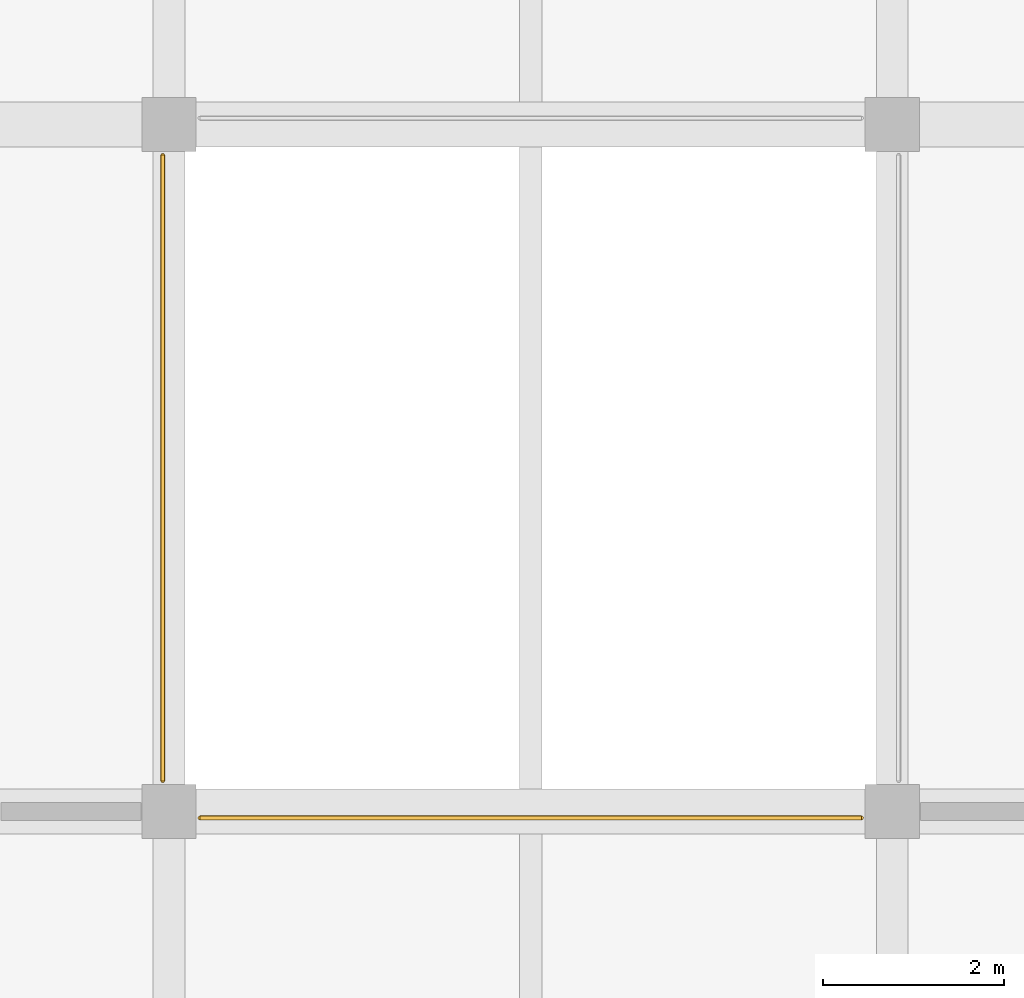
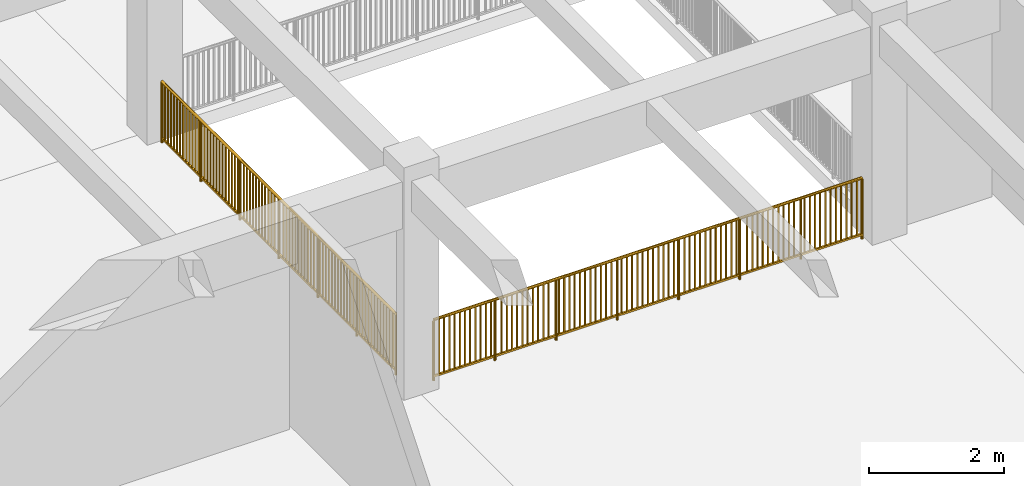
# One storey, part 54 of 63: 2 railings.
"""IFC4 building model written with IfcOpenShell, lengths in metres."""

from ifc_helpers import new_model, si_unit, direction, frame, origin, origin_2d, place, context, subcontext, project, spatial, rectangle, circle, extrude, material, type_object, element, save


model = new_model("IFC4")

# Units and contexts
model_context = context("Model", 3, precision=1e-05, world=origin(), true_north=direction((0.0, 1.0)))
body_context = subcontext(model_context, "Body", "Model", "MODEL_VIEW")
ifc_project = project(units=[si_unit("LENGTHUNIT", "METRE"), si_unit("AREAUNIT", "SQUARE_METRE"), si_unit("VOLUMEUNIT", "CUBIC_METRE"), si_unit("PLANEANGLEUNIT", "RADIAN"), si_unit("MASSUNIT", "GRAM", prefix="KILO")], contexts=[model_context])

# Site, building, storey
site_placement = place(None, origin())
site = spatial("IfcSite", under=ifc_project, at=site_placement, CompositionType="ELEMENT")
building_placement = place(site_placement, origin())
building = spatial("IfcBuilding", under=site, at=building_placement, Name="Zantavel Square City Hall", CompositionType="ELEMENT")
storey_placement = place(building_placement, frame((0.0, 0.0, 14.699951171875)))
storey = spatial("IfcBuildingStorey", under=building, at=storey_placement, Name="L04", CompositionType="ELEMENT", Elevation=14.699951171875)

# Railings
ifc_material = material(Name="Steel ASTM A500 Grade B", Category="steel")
railing_type = type_object("IfcRailingType", Name="Atrium & Gallery Steel Guard Railing 1100mm", PredefinedType="GUARDRAIL", material=ifc_material)
railing_1_placement = place(storey_placement, frame((79.929931640625, 52.860107421875, 0.0)))
element("IfcRailing", 1, at=railing_1_placement, inside=storey, type_object=railing_type, Name="L04 Atrium Void Guard 035", PredefinedType="GUARDRAIL", context=body_context, shape_type="SweptSolid", body=[
    extrude(circle(Radius=0.02392578125, at=origin_2d()), frame((0.0, 0.0, 1.09619140625), z_axis=(0.0, -1.0, 0.0), x_axis=(1.0, 0.0, 0.0)), (0.0, 0.0, 1.0), 6.920166015625),
    extrude(rectangle(XDim=0.031982421875, YDim=0.031982421875, at=origin_2d()), frame((0.0, 0.0, 0.080078125), z_axis=(0.0, -1.0, 0.0), x_axis=(1.0, 0.0, 0.0)), (0.0, 0.0, 1.0), 6.920166015625),
    extrude(rectangle(XDim=0.02197265625, YDim=0.02197265625, at=origin_2d()), frame((0.0, -0.08984375, 0.080078125)), (0.0, 0.0, 1.0), 0.991943359375),
    extrude(rectangle(XDim=0.02197265625, YDim=0.02197265625, at=origin_2d()), frame((0.0, -0.1796875, 0.080078125)), (0.0, 0.0, 1.0), 0.991943359375),
    extrude(rectangle(XDim=0.02197265625, YDim=0.02197265625, at=origin_2d()), frame((0.0, -0.26953125, 0.080078125)), (0.0, 0.0, 1.0), 0.991943359375),
    extrude(rectangle(XDim=0.02197265625, YDim=0.02197265625, at=origin_2d()), frame((0.0, -0.359375, 0.080078125)), (0.0, 0.0, 1.0), 0.991943359375),
    extrude(rectangle(XDim=0.02197265625, YDim=0.02197265625, at=origin_2d()), frame((0.0, -0.449462890625, 0.080078125)), (0.0, 0.0, 1.0), 0.991943359375),
    extrude(rectangle(XDim=0.02197265625, YDim=0.02197265625, at=origin_2d()), frame((0.0, -0.539306640625, 0.080078125)), (0.0, 0.0, 1.0), 0.991943359375),
    extrude(rectangle(XDim=0.02197265625, YDim=0.02197265625, at=origin_2d()), frame((0.0, -0.629150390625, 0.080078125)), (0.0, 0.0, 1.0), 0.991943359375),
    extrude(rectangle(XDim=0.02197265625, YDim=0.02197265625, at=origin_2d()), frame((0.0, -0.718994140625, 0.080078125)), (0.0, 0.0, 1.0), 0.991943359375),
    extrude(rectangle(XDim=0.02197265625, YDim=0.02197265625, at=origin_2d()), frame((0.0, -0.808837890625, 0.080078125)), (0.0, 0.0, 1.0), 0.991943359375),
    extrude(rectangle(XDim=0.02197265625, YDim=0.02197265625, at=origin_2d()), frame((0.0, -0.898681640625, 0.080078125)), (0.0, 0.0, 1.0), 0.991943359375),
    extrude(rectangle(XDim=0.02197265625, YDim=0.02197265625, at=origin_2d()), frame((0.0, -0.988525390625, 0.080078125)), (0.0, 0.0, 1.0), 0.991943359375),
    extrude(rectangle(XDim=0.02197265625, YDim=0.02197265625, at=origin_2d()), frame((0.0, -1.078369140625, 0.080078125)), (0.0, 0.0, 1.0), 0.991943359375),
    extrude(rectangle(XDim=0.02197265625, YDim=0.02197265625, at=origin_2d()), frame((0.0, -1.25830078125, 0.080078125)), (0.0, 0.0, 1.0), 0.991943359375),
    extrude(rectangle(XDim=0.02197265625, YDim=0.02197265625, at=origin_2d()), frame((0.0, -1.34814453125, 0.080078125)), (0.0, 0.0, 1.0), 0.991943359375),
    extrude(rectangle(XDim=0.02197265625, YDim=0.02197265625, at=origin_2d()), frame((0.0, -1.43798828125, 0.080078125)), (0.0, 0.0, 1.0), 0.991943359375),
    extrude(rectangle(XDim=0.02197265625, YDim=0.02197265625, at=origin_2d()), frame((0.0, -1.52783203125, 0.080078125)), (0.0, 0.0, 1.0), 0.991943359375),
    extrude(rectangle(XDim=0.02197265625, YDim=0.02197265625, at=origin_2d()), frame((0.0, -1.61767578125, 0.080078125)), (0.0, 0.0, 1.0), 0.991943359375),
    extrude(rectangle(XDim=0.02197265625, YDim=0.02197265625, at=origin_2d()), frame((0.0, -1.70751953125, 0.080078125)), (0.0, 0.0, 1.0), 0.991943359375),
    extrude(rectangle(XDim=0.02197265625, YDim=0.02197265625, at=origin_2d()), frame((0.0, -1.79736328125, 0.080078125)), (0.0, 0.0, 1.0), 0.991943359375),
    extrude(rectangle(XDim=0.02197265625, YDim=0.02197265625, at=origin_2d()), frame((0.0, -1.88720703125, 0.080078125)), (0.0, 0.0, 1.0), 0.991943359375),
    extrude(rectangle(XDim=0.02197265625, YDim=0.02197265625, at=origin_2d()), frame((0.0, -1.977294921875, 0.080078125)), (0.0, 0.0, 1.0), 0.991943359375),
    extrude(rectangle(XDim=0.02197265625, YDim=0.02197265625, at=origin_2d()), frame((0.0, -2.067138671875, 0.080078125)), (0.0, 0.0, 1.0), 0.991943359375),
    extrude(rectangle(XDim=0.02197265625, YDim=0.02197265625, at=origin_2d()), frame((0.0, -2.156982421875, 0.080078125)), (0.0, 0.0, 1.0), 0.991943359375),
    extrude(rectangle(XDim=0.02197265625, YDim=0.02197265625, at=origin_2d()), frame((0.0, -2.246826171875, 0.080078125)), (0.0, 0.0, 1.0), 0.991943359375),
    extrude(rectangle(XDim=0.02197265625, YDim=0.02197265625, at=origin_2d()), frame((0.0, -2.426513671875, 0.080078125)), (0.0, 0.0, 1.0), 0.991943359375),
    extrude(rectangle(XDim=0.02197265625, YDim=0.02197265625, at=origin_2d()), frame((0.0, -2.516357421875, 0.080078125)), (0.0, 0.0, 1.0), 0.991943359375),
    extrude(rectangle(XDim=0.02197265625, YDim=0.02197265625, at=origin_2d()), frame((0.0, -2.606201171875, 0.080078125)), (0.0, 0.0, 1.0), 0.991943359375),
    extrude(rectangle(XDim=0.02197265625, YDim=0.02197265625, at=origin_2d()), frame((0.0, -2.6962890625, 0.080078125)), (0.0, 0.0, 1.0), 0.991943359375),
    extrude(rectangle(XDim=0.02197265625, YDim=0.02197265625, at=origin_2d()), frame((0.0, -2.7861328125, 0.080078125)), (0.0, 0.0, 1.0), 0.991943359375),
    extrude(rectangle(XDim=0.02197265625, YDim=0.02197265625, at=origin_2d()), frame((0.0, -2.8759765625, 0.080078125)), (0.0, 0.0, 1.0), 0.991943359375),
    extrude(rectangle(XDim=0.02197265625, YDim=0.02197265625, at=origin_2d()), frame((0.0, -2.9658203125, 0.080078125)), (0.0, 0.0, 1.0), 0.991943359375),
    extrude(rectangle(XDim=0.02197265625, YDim=0.02197265625, at=origin_2d()), frame((0.0, -3.0556640625, 0.080078125)), (0.0, 0.0, 1.0), 0.991943359375),
    extrude(rectangle(XDim=0.02197265625, YDim=0.02197265625, at=origin_2d()), frame((0.0, -3.1455078125, 0.080078125)), (0.0, 0.0, 1.0), 0.991943359375),
    extrude(rectangle(XDim=0.02197265625, YDim=0.02197265625, at=origin_2d()), frame((0.0, -3.2353515625, 0.080078125)), (0.0, 0.0, 1.0), 0.991943359375),
    extrude(rectangle(XDim=0.02197265625, YDim=0.02197265625, at=origin_2d()), frame((0.0, -3.3251953125, 0.080078125)), (0.0, 0.0, 1.0), 0.991943359375),
    extrude(rectangle(XDim=0.02197265625, YDim=0.02197265625, at=origin_2d()), frame((0.0, -3.594970703125, 0.080078125)), (0.0, 0.0, 1.0), 0.991943359375),
    extrude(rectangle(XDim=0.02197265625, YDim=0.02197265625, at=origin_2d()), frame((0.0, -3.684814453125, 0.080078125)), (0.0, 0.0, 1.0), 0.991943359375),
    extrude(rectangle(XDim=0.02197265625, YDim=0.02197265625, at=origin_2d()), frame((0.0, -3.774658203125, 0.080078125)), (0.0, 0.0, 1.0), 0.991943359375),
    extrude(rectangle(XDim=0.02197265625, YDim=0.02197265625, at=origin_2d()), frame((0.0, -3.864501953125, 0.080078125)), (0.0, 0.0, 1.0), 0.991943359375),
    extrude(rectangle(XDim=0.02197265625, YDim=0.02197265625, at=origin_2d()), frame((0.0, -3.954345703125, 0.080078125)), (0.0, 0.0, 1.0), 0.991943359375),
    extrude(rectangle(XDim=0.02197265625, YDim=0.02197265625, at=origin_2d()), frame((0.0, -4.044189453125, 0.080078125)), (0.0, 0.0, 1.0), 0.991943359375),
    extrude(rectangle(XDim=0.02197265625, YDim=0.02197265625, at=origin_2d()), frame((0.0, -4.134033203125, 0.080078125)), (0.0, 0.0, 1.0), 0.991943359375),
    extrude(rectangle(XDim=0.02197265625, YDim=0.02197265625, at=origin_2d()), frame((0.0, -4.223876953125, 0.080078125)), (0.0, 0.0, 1.0), 0.991943359375),
    extrude(rectangle(XDim=0.02197265625, YDim=0.02197265625, at=origin_2d()), frame((0.0, -4.31396484375, 0.080078125)), (0.0, 0.0, 1.0), 0.991943359375),
    extrude(rectangle(XDim=0.02197265625, YDim=0.02197265625, at=origin_2d()), frame((0.0, -4.40380859375, 0.080078125)), (0.0, 0.0, 1.0), 0.991943359375),
    extrude(rectangle(XDim=0.02197265625, YDim=0.02197265625, at=origin_2d()), frame((0.0, -4.49365234375, 0.080078125)), (0.0, 0.0, 1.0), 0.991943359375),
    extrude(rectangle(XDim=0.02197265625, YDim=0.02197265625, at=origin_2d()), frame((0.0, -4.67333984375, 0.080078125)), (0.0, 0.0, 1.0), 0.991943359375),
    extrude(rectangle(XDim=0.02197265625, YDim=0.02197265625, at=origin_2d()), frame((0.0, -4.76318359375, 0.080078125)), (0.0, 0.0, 1.0), 0.991943359375),
    extrude(rectangle(XDim=0.02197265625, YDim=0.02197265625, at=origin_2d()), frame((0.0, -4.85302734375, 0.080078125)), (0.0, 0.0, 1.0), 0.991943359375),
    extrude(rectangle(XDim=0.02197265625, YDim=0.02197265625, at=origin_2d()), frame((0.0, -4.94287109375, 0.080078125)), (0.0, 0.0, 1.0), 0.991943359375),
    extrude(rectangle(XDim=0.02197265625, YDim=0.02197265625, at=origin_2d()), frame((0.0, -5.032958984375, 0.080078125)), (0.0, 0.0, 1.0), 0.991943359375),
    extrude(rectangle(XDim=0.02197265625, YDim=0.02197265625, at=origin_2d()), frame((0.0, -5.122802734375, 0.080078125)), (0.0, 0.0, 1.0), 0.991943359375),
    extrude(rectangle(XDim=0.02197265625, YDim=0.02197265625, at=origin_2d()), frame((0.0, -5.212646484375, 0.080078125)), (0.0, 0.0, 1.0), 0.991943359375),
    extrude(rectangle(XDim=0.02197265625, YDim=0.02197265625, at=origin_2d()), frame((0.0, -5.302490234375, 0.080078125)), (0.0, 0.0, 1.0), 0.991943359375),
    extrude(rectangle(XDim=0.02197265625, YDim=0.02197265625, at=origin_2d()), frame((0.0, -5.392333984375, 0.080078125)), (0.0, 0.0, 1.0), 0.991943359375),
    extrude(rectangle(XDim=0.02197265625, YDim=0.02197265625, at=origin_2d()), frame((0.0, -5.482177734375, 0.080078125)), (0.0, 0.0, 1.0), 0.991943359375),
    extrude(rectangle(XDim=0.02197265625, YDim=0.02197265625, at=origin_2d()), frame((0.0, -5.572021484375, 0.080078125)), (0.0, 0.0, 1.0), 0.991943359375),
    extrude(rectangle(XDim=0.02197265625, YDim=0.02197265625, at=origin_2d()), frame((0.0, -5.661865234375, 0.080078125)), (0.0, 0.0, 1.0), 0.991943359375),
    extrude(rectangle(XDim=0.02197265625, YDim=0.02197265625, at=origin_2d()), frame((0.0, -5.841796875, 0.080078125)), (0.0, 0.0, 1.0), 0.991943359375),
    extrude(rectangle(XDim=0.02197265625, YDim=0.02197265625, at=origin_2d()), frame((0.0, -5.931640625, 0.080078125)), (0.0, 0.0, 1.0), 0.991943359375),
    extrude(rectangle(XDim=0.02197265625, YDim=0.02197265625, at=origin_2d()), frame((0.0, -6.021484375, 0.080078125)), (0.0, 0.0, 1.0), 0.991943359375),
    extrude(rectangle(XDim=0.02197265625, YDim=0.02197265625, at=origin_2d()), frame((0.0, -6.111328125, 0.080078125)), (0.0, 0.0, 1.0), 0.991943359375),
    extrude(rectangle(XDim=0.02197265625, YDim=0.02197265625, at=origin_2d()), frame((0.0, -6.201171875, 0.080078125)), (0.0, 0.0, 1.0), 0.991943359375),
    extrude(rectangle(XDim=0.02197265625, YDim=0.02197265625, at=origin_2d()), frame((0.0, -6.291015625, 0.080078125)), (0.0, 0.0, 1.0), 0.991943359375),
    extrude(rectangle(XDim=0.02197265625, YDim=0.02197265625, at=origin_2d()), frame((0.0, -6.380859375, 0.080078125)), (0.0, 0.0, 1.0), 0.991943359375),
    extrude(rectangle(XDim=0.02197265625, YDim=0.02197265625, at=origin_2d()), frame((0.0, -6.470703125, 0.080078125)), (0.0, 0.0, 1.0), 0.991943359375),
    extrude(rectangle(XDim=0.02197265625, YDim=0.02197265625, at=origin_2d()), frame((0.0, -6.560791015625, 0.080078125)), (0.0, 0.0, 1.0), 0.991943359375),
    extrude(rectangle(XDim=0.02197265625, YDim=0.02197265625, at=origin_2d()), frame((0.0, -6.650634765625, 0.080078125)), (0.0, 0.0, 1.0), 0.991943359375),
    extrude(rectangle(XDim=0.02197265625, YDim=0.02197265625, at=origin_2d()), frame((0.0, -6.740478515625, 0.080078125)), (0.0, 0.0, 1.0), 0.991943359375),
    extrude(rectangle(XDim=0.02197265625, YDim=0.02197265625, at=origin_2d()), frame((0.0, -6.830322265625, 0.080078125)), (0.0, 0.0, 1.0), 0.991943359375),
    extrude(circle(Radius=0.02099609375, at=origin_2d()), origin(), (0.0, 0.0, 1.0), 1.072021484375),
    extrude(circle(Radius=0.02099609375, at=origin_2d()), frame((0.0, -1.1533203125, 0.0)), (0.0, 0.0, 1.0), 1.072021484375),
    extrude(circle(Radius=0.02099609375, at=origin_2d()), frame((0.0, -2.306640625, 0.0)), (0.0, 0.0, 1.0), 1.072021484375),
    extrude(circle(Radius=0.02099609375, at=origin_2d()), frame((0.0, -3.4599609375, 0.0)), (0.0, 0.0, 1.0), 1.072021484375),
    extrude(circle(Radius=0.02099609375, at=origin_2d()), frame((0.0, -4.613525390625, 0.0)), (0.0, 0.0, 1.0), 1.072021484375),
    extrude(circle(Radius=0.02099609375, at=origin_2d()), frame((0.0, -5.766845703125, 0.0)), (0.0, 0.0, 1.0), 1.072021484375),
    extrude(circle(Radius=0.02099609375, at=origin_2d()), frame((0.0, -6.920166015625, 0.0)), (0.0, 0.0, 1.0), 1.072021484375),
])
railing_2_placement = place(storey_placement, frame((80.340087890625, 45.530029296875, 0.0)))
element("IfcRailing", 2, at=railing_2_placement, inside=storey, type_object=railing_type, Name="L04 Atrium Void Guard 036", PredefinedType="GUARDRAIL", context=body_context, shape_type="SweptSolid", body=[
    extrude(circle(Radius=0.02392578125, at=origin_2d()), frame((0.0, 0.0, 1.09619140625), z_axis=(1.0, 0.0, 0.0), x_axis=(0.0, 1.0, 0.0)), (0.0, 0.0, 1.0), 7.31982421875),
    extrude(rectangle(XDim=0.031982421875, YDim=0.031982421875, at=origin_2d()), frame((0.0, 0.0, 0.080078125), z_axis=(1.0, 0.0, 0.0), x_axis=(0.0, 1.0, 0.0)), (0.0, 0.0, 1.0), 7.31982421875),
    extrude(rectangle(XDim=0.02197265625, YDim=0.02197265625, at=origin_2d()), frame((0.08935546875, 0.0, 0.080078125)), (0.0, 0.0, 1.0), 0.991943359375),
    extrude(rectangle(XDim=0.02197265625, YDim=0.02197265625, at=origin_2d()), frame((0.178466796875, 0.0, 0.080078125)), (0.0, 0.0, 1.0), 0.991943359375),
    extrude(rectangle(XDim=0.02197265625, YDim=0.02197265625, at=origin_2d()), frame((0.267822265625, 0.0, 0.080078125)), (0.0, 0.0, 1.0), 0.991943359375),
    extrude(rectangle(XDim=0.02197265625, YDim=0.02197265625, at=origin_2d()), frame((0.357177734375, 0.0, 0.080078125)), (0.0, 0.0, 1.0), 0.991943359375),
    extrude(rectangle(XDim=0.02197265625, YDim=0.02197265625, at=origin_2d()), frame((0.4462890625, 0.0, 0.080078125)), (0.0, 0.0, 1.0), 0.991943359375),
    extrude(rectangle(XDim=0.02197265625, YDim=0.02197265625, at=origin_2d()), frame((0.53564453125, 0.0, 0.080078125)), (0.0, 0.0, 1.0), 0.991943359375),
    extrude(rectangle(XDim=0.02197265625, YDim=0.02197265625, at=origin_2d()), frame((0.624755859375, 0.0, 0.080078125)), (0.0, 0.0, 1.0), 0.991943359375),
    extrude(rectangle(XDim=0.02197265625, YDim=0.02197265625, at=origin_2d()), frame((0.714111328125, 0.0, 0.080078125)), (0.0, 0.0, 1.0), 0.991943359375),
    extrude(rectangle(XDim=0.02197265625, YDim=0.02197265625, at=origin_2d()), frame((0.803466796875, 0.0, 0.080078125)), (0.0, 0.0, 1.0), 0.991943359375),
    extrude(rectangle(XDim=0.02197265625, YDim=0.02197265625, at=origin_2d()), frame((0.892578125, 0.0, 0.080078125)), (0.0, 0.0, 1.0), 0.991943359375),
    extrude(rectangle(XDim=0.02197265625, YDim=0.02197265625, at=origin_2d()), frame((0.98193359375, 0.0, 0.080078125)), (0.0, 0.0, 1.0), 0.991943359375),
    extrude(rectangle(XDim=0.02197265625, YDim=0.02197265625, at=origin_2d()), frame((1.160400390625, 0.0, 0.080078125)), (0.0, 0.0, 1.0), 0.991943359375),
    extrude(rectangle(XDim=0.02197265625, YDim=0.02197265625, at=origin_2d()), frame((1.249755859375, 0.0, 0.080078125)), (0.0, 0.0, 1.0), 0.991943359375),
    extrude(rectangle(XDim=0.02197265625, YDim=0.02197265625, at=origin_2d()), frame((1.339111328125, 0.0, 0.080078125)), (0.0, 0.0, 1.0), 0.991943359375),
    extrude(rectangle(XDim=0.02197265625, YDim=0.02197265625, at=origin_2d()), frame((1.42822265625, 0.0, 0.080078125)), (0.0, 0.0, 1.0), 0.991943359375),
    extrude(rectangle(XDim=0.02197265625, YDim=0.02197265625, at=origin_2d()), frame((1.517578125, 0.0, 0.080078125)), (0.0, 0.0, 1.0), 0.991943359375),
    extrude(rectangle(XDim=0.02197265625, YDim=0.02197265625, at=origin_2d()), frame((1.606689453125, 0.0, 0.080078125)), (0.0, 0.0, 1.0), 0.991943359375),
    extrude(rectangle(XDim=0.02197265625, YDim=0.02197265625, at=origin_2d()), frame((1.696044921875, 0.0, 0.080078125)), (0.0, 0.0, 1.0), 0.991943359375),
    extrude(rectangle(XDim=0.02197265625, YDim=0.02197265625, at=origin_2d()), frame((1.785400390625, 0.0, 0.080078125)), (0.0, 0.0, 1.0), 0.991943359375),
    extrude(rectangle(XDim=0.02197265625, YDim=0.02197265625, at=origin_2d()), frame((1.87451171875, 0.0, 0.080078125)), (0.0, 0.0, 1.0), 0.991943359375),
    extrude(rectangle(XDim=0.02197265625, YDim=0.02197265625, at=origin_2d()), frame((1.9638671875, 0.0, 0.080078125)), (0.0, 0.0, 1.0), 0.991943359375),
    extrude(rectangle(XDim=0.02197265625, YDim=0.02197265625, at=origin_2d()), frame((2.142333984375, 0.0, 0.080078125)), (0.0, 0.0, 1.0), 0.991943359375),
    extrude(rectangle(XDim=0.02197265625, YDim=0.02197265625, at=origin_2d()), frame((2.231689453125, 0.0, 0.080078125)), (0.0, 0.0, 1.0), 0.991943359375),
    extrude(rectangle(XDim=0.02197265625, YDim=0.02197265625, at=origin_2d()), frame((2.32080078125, 0.0, 0.080078125)), (0.0, 0.0, 1.0), 0.991943359375),
    extrude(rectangle(XDim=0.02197265625, YDim=0.02197265625, at=origin_2d()), frame((2.41015625, 0.0, 0.080078125)), (0.0, 0.0, 1.0), 0.991943359375),
    extrude(rectangle(XDim=0.02197265625, YDim=0.02197265625, at=origin_2d()), frame((2.49951171875, 0.0, 0.080078125)), (0.0, 0.0, 1.0), 0.991943359375),
    extrude(rectangle(XDim=0.02197265625, YDim=0.02197265625, at=origin_2d()), frame((2.588623046875, 0.0, 0.080078125)), (0.0, 0.0, 1.0), 0.991943359375),
    extrude(rectangle(XDim=0.02197265625, YDim=0.02197265625, at=origin_2d()), frame((2.677978515625, 0.0, 0.080078125)), (0.0, 0.0, 1.0), 0.991943359375),
    extrude(rectangle(XDim=0.02197265625, YDim=0.02197265625, at=origin_2d()), frame((2.767333984375, 0.0, 0.080078125)), (0.0, 0.0, 1.0), 0.991943359375),
    extrude(rectangle(XDim=0.02197265625, YDim=0.02197265625, at=origin_2d()), frame((2.8564453125, 0.0, 0.080078125)), (0.0, 0.0, 1.0), 0.991943359375),
    extrude(rectangle(XDim=0.02197265625, YDim=0.02197265625, at=origin_2d()), frame((2.94580078125, 0.0, 0.080078125)), (0.0, 0.0, 1.0), 0.991943359375),
    extrude(rectangle(XDim=0.02197265625, YDim=0.02197265625, at=origin_2d()), frame((3.03515625, 0.0, 0.080078125)), (0.0, 0.0, 1.0), 0.991943359375),
    extrude(rectangle(XDim=0.02197265625, YDim=0.02197265625, at=origin_2d()), frame((3.213623046875, 0.0, 0.080078125)), (0.0, 0.0, 1.0), 0.991943359375),
    extrude(rectangle(XDim=0.02197265625, YDim=0.02197265625, at=origin_2d()), frame((3.302734375, 0.0, 0.080078125)), (0.0, 0.0, 1.0), 0.991943359375),
    extrude(rectangle(XDim=0.02197265625, YDim=0.02197265625, at=origin_2d()), frame((3.39208984375, 0.0, 0.080078125)), (0.0, 0.0, 1.0), 0.991943359375),
    extrude(rectangle(XDim=0.02197265625, YDim=0.02197265625, at=origin_2d()), frame((3.4814453125, 0.0, 0.080078125)), (0.0, 0.0, 1.0), 0.991943359375),
    extrude(rectangle(XDim=0.02197265625, YDim=0.02197265625, at=origin_2d()), frame((3.570556640625, 0.0, 0.080078125)), (0.0, 0.0, 1.0), 0.991943359375),
    extrude(rectangle(XDim=0.02197265625, YDim=0.02197265625, at=origin_2d()), frame((3.659912109375, 0.0, 0.080078125)), (0.0, 0.0, 1.0), 0.991943359375),
    extrude(rectangle(XDim=0.02197265625, YDim=0.02197265625, at=origin_2d()), frame((3.749267578125, 0.0, 0.080078125)), (0.0, 0.0, 1.0), 0.991943359375),
    extrude(rectangle(XDim=0.02197265625, YDim=0.02197265625, at=origin_2d()), frame((3.83837890625, 0.0, 0.080078125)), (0.0, 0.0, 1.0), 0.991943359375),
    extrude(rectangle(XDim=0.02197265625, YDim=0.02197265625, at=origin_2d()), frame((3.927734375, 0.0, 0.080078125)), (0.0, 0.0, 1.0), 0.991943359375),
    extrude(rectangle(XDim=0.02197265625, YDim=0.02197265625, at=origin_2d()), frame((4.01708984375, 0.0, 0.080078125)), (0.0, 0.0, 1.0), 0.991943359375),
    extrude(rectangle(XDim=0.02197265625, YDim=0.02197265625, at=origin_2d()), frame((4.106201171875, 0.0, 0.080078125)), (0.0, 0.0, 1.0), 0.991943359375),
    extrude(rectangle(XDim=0.02197265625, YDim=0.02197265625, at=origin_2d()), frame((4.28466796875, 0.0, 0.080078125)), (0.0, 0.0, 1.0), 0.991943359375),
    extrude(rectangle(XDim=0.02197265625, YDim=0.02197265625, at=origin_2d()), frame((4.3740234375, 0.0, 0.080078125)), (0.0, 0.0, 1.0), 0.991943359375),
    extrude(rectangle(XDim=0.02197265625, YDim=0.02197265625, at=origin_2d()), frame((4.46337890625, 0.0, 0.080078125)), (0.0, 0.0, 1.0), 0.991943359375),
    extrude(rectangle(XDim=0.02197265625, YDim=0.02197265625, at=origin_2d()), frame((4.552490234375, 0.0, 0.080078125)), (0.0, 0.0, 1.0), 0.991943359375),
    extrude(rectangle(XDim=0.02197265625, YDim=0.02197265625, at=origin_2d()), frame((4.641845703125, 0.0, 0.080078125)), (0.0, 0.0, 1.0), 0.991943359375),
    extrude(rectangle(XDim=0.02197265625, YDim=0.02197265625, at=origin_2d()), frame((4.731201171875, 0.0, 0.080078125)), (0.0, 0.0, 1.0), 0.991943359375),
    extrude(rectangle(XDim=0.02197265625, YDim=0.02197265625, at=origin_2d()), frame((4.8203125, 0.0, 0.080078125)), (0.0, 0.0, 1.0), 0.991943359375),
    extrude(rectangle(XDim=0.02197265625, YDim=0.02197265625, at=origin_2d()), frame((4.90966796875, 0.0, 0.080078125)), (0.0, 0.0, 1.0), 0.991943359375),
    extrude(rectangle(XDim=0.02197265625, YDim=0.02197265625, at=origin_2d()), frame((4.9990234375, 0.0, 0.080078125)), (0.0, 0.0, 1.0), 0.991943359375),
    extrude(rectangle(XDim=0.02197265625, YDim=0.02197265625, at=origin_2d()), frame((5.088134765625, 0.0, 0.080078125)), (0.0, 0.0, 1.0), 0.991943359375),
    extrude(rectangle(XDim=0.02197265625, YDim=0.02197265625, at=origin_2d()), frame((5.177490234375, 0.0, 0.080078125)), (0.0, 0.0, 1.0), 0.991943359375),
    extrude(rectangle(XDim=0.02197265625, YDim=0.02197265625, at=origin_2d()), frame((5.35595703125, 0.0, 0.080078125)), (0.0, 0.0, 1.0), 0.991943359375),
    extrude(rectangle(XDim=0.02197265625, YDim=0.02197265625, at=origin_2d()), frame((5.4453125, 0.0, 0.080078125)), (0.0, 0.0, 1.0), 0.991943359375),
    extrude(rectangle(XDim=0.02197265625, YDim=0.02197265625, at=origin_2d()), frame((5.534423828125, 0.0, 0.080078125)), (0.0, 0.0, 1.0), 0.991943359375),
    extrude(rectangle(XDim=0.02197265625, YDim=0.02197265625, at=origin_2d()), frame((5.623779296875, 0.0, 0.080078125)), (0.0, 0.0, 1.0), 0.991943359375),
    extrude(rectangle(XDim=0.02197265625, YDim=0.02197265625, at=origin_2d()), frame((5.713134765625, 0.0, 0.080078125)), (0.0, 0.0, 1.0), 0.991943359375),
    extrude(rectangle(XDim=0.02197265625, YDim=0.02197265625, at=origin_2d()), frame((5.80224609375, 0.0, 0.080078125)), (0.0, 0.0, 1.0), 0.991943359375),
    extrude(rectangle(XDim=0.02197265625, YDim=0.02197265625, at=origin_2d()), frame((5.8916015625, 0.0, 0.080078125)), (0.0, 0.0, 1.0), 0.991943359375),
    extrude(rectangle(XDim=0.02197265625, YDim=0.02197265625, at=origin_2d()), frame((5.980712890625, 0.0, 0.080078125)), (0.0, 0.0, 1.0), 0.991943359375),
    extrude(rectangle(XDim=0.02197265625, YDim=0.02197265625, at=origin_2d()), frame((6.070068359375, 0.0, 0.080078125)), (0.0, 0.0, 1.0), 0.991943359375),
    extrude(rectangle(XDim=0.02197265625, YDim=0.02197265625, at=origin_2d()), frame((6.159423828125, 0.0, 0.080078125)), (0.0, 0.0, 1.0), 0.991943359375),
    extrude(rectangle(XDim=0.02197265625, YDim=0.02197265625, at=origin_2d()), frame((6.337890625, 0.0, 0.080078125)), (0.0, 0.0, 1.0), 0.991943359375),
    extrude(rectangle(XDim=0.02197265625, YDim=0.02197265625, at=origin_2d()), frame((6.42724609375, 0.0, 0.080078125)), (0.0, 0.0, 1.0), 0.991943359375),
    extrude(rectangle(XDim=0.02197265625, YDim=0.02197265625, at=origin_2d()), frame((6.516357421875, 0.0, 0.080078125)), (0.0, 0.0, 1.0), 0.991943359375),
    extrude(rectangle(XDim=0.02197265625, YDim=0.02197265625, at=origin_2d()), frame((6.605712890625, 0.0, 0.080078125)), (0.0, 0.0, 1.0), 0.991943359375),
    extrude(rectangle(XDim=0.02197265625, YDim=0.02197265625, at=origin_2d()), frame((6.695068359375, 0.0, 0.080078125)), (0.0, 0.0, 1.0), 0.991943359375),
    extrude(rectangle(XDim=0.02197265625, YDim=0.02197265625, at=origin_2d()), frame((6.7841796875, 0.0, 0.080078125)), (0.0, 0.0, 1.0), 0.991943359375),
    extrude(rectangle(XDim=0.02197265625, YDim=0.02197265625, at=origin_2d()), frame((6.87353515625, 0.0, 0.080078125)), (0.0, 0.0, 1.0), 0.991943359375),
    extrude(rectangle(XDim=0.02197265625, YDim=0.02197265625, at=origin_2d()), frame((6.962646484375, 0.0, 0.080078125)), (0.0, 0.0, 1.0), 0.991943359375),
    extrude(rectangle(XDim=0.02197265625, YDim=0.02197265625, at=origin_2d()), frame((7.052001953125, 0.0, 0.080078125)), (0.0, 0.0, 1.0), 0.991943359375),
    extrude(rectangle(XDim=0.02197265625, YDim=0.02197265625, at=origin_2d()), frame((7.141357421875, 0.0, 0.080078125)), (0.0, 0.0, 1.0), 0.991943359375),
    extrude(rectangle(XDim=0.02197265625, YDim=0.02197265625, at=origin_2d()), frame((7.23046875, 0.0, 0.080078125)), (0.0, 0.0, 1.0), 0.991943359375),
    extrude(circle(Radius=0.02099609375, at=origin_2d()), origin(), (0.0, 0.0, 1.0), 1.072021484375),
    extrude(circle(Radius=0.02099609375, at=origin_2d()), frame((1.045654296875, 0.0, 0.0)), (0.0, 0.0, 1.0), 1.072021484375),
    extrude(circle(Radius=0.02099609375, at=origin_2d()), frame((2.09130859375, 0.0, 0.0)), (0.0, 0.0, 1.0), 1.072021484375),
    extrude(circle(Radius=0.02099609375, at=origin_2d()), frame((3.136962890625, 0.0, 0.0)), (0.0, 0.0, 1.0), 1.072021484375),
    extrude(circle(Radius=0.02099609375, at=origin_2d()), frame((4.182861328125, 0.0, 0.0)), (0.0, 0.0, 1.0), 1.072021484375),
    extrude(circle(Radius=0.02099609375, at=origin_2d()), frame((5.228515625, 0.0, 0.0)), (0.0, 0.0, 1.0), 1.072021484375),
    extrude(circle(Radius=0.02099609375, at=origin_2d()), frame((6.274169921875, 0.0, 0.0)), (0.0, 0.0, 1.0), 1.072021484375),
    extrude(circle(Radius=0.02099609375, at=origin_2d()), frame((7.31982421875, 0.0, 0.0)), (0.0, 0.0, 1.0), 1.072021484375),
])

save(model, "model.ifc")
